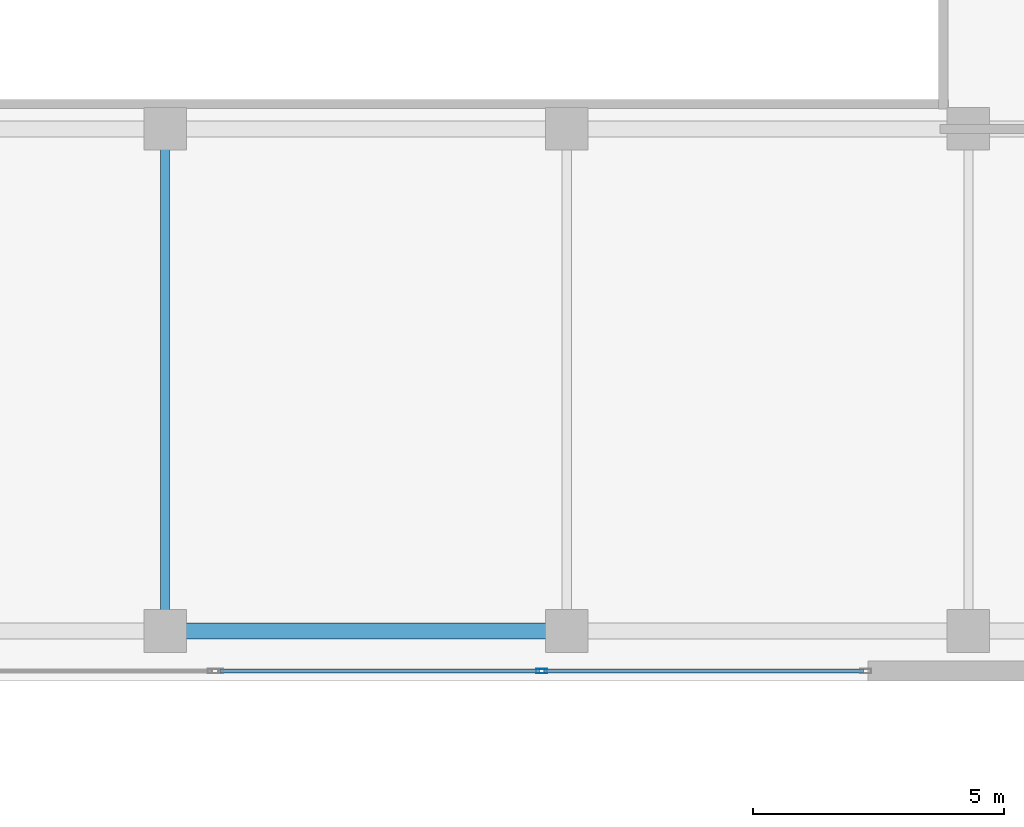
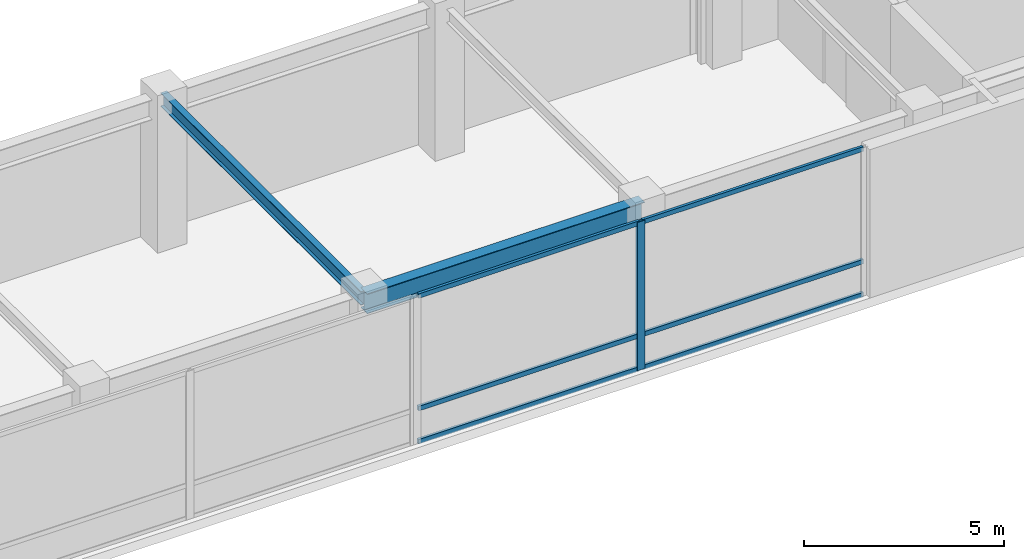
# One storey, part 14 of 36: 7 members, 2 beams, 1 element without a shape of its own.
"""IFC4 building model written with IfcOpenShell, lengths in metres."""

from ifc_helpers import new_model, si_unit, direction, frame, origin, origin_2d, place, context, subcontext, project, spatial, hollow_rectangle, i_section, extrude, material, layer, layer_set, material_profile, profile_set, type_object, element, aggregate, save


model = new_model("IFC4")

# Units and contexts
model_context = context("Model", 3, precision=1e-05, world=origin(), true_north=direction((0.0, 1.0)))
body_context = subcontext(model_context, "Body", "Model", "MODEL_VIEW")
ifc_project = project(units=[si_unit("LENGTHUNIT", "METRE"), si_unit("AREAUNIT", "SQUARE_METRE"), si_unit("VOLUMEUNIT", "CUBIC_METRE"), si_unit("PLANEANGLEUNIT", "RADIAN"), si_unit("MASSUNIT", "GRAM", prefix="KILO")], contexts=[model_context])

# Site, building, storey
site_placement = place(None, origin())
site = spatial("IfcSite", under=ifc_project, at=site_placement, CompositionType="ELEMENT")
building_placement = place(site_placement, origin())
building = spatial("IfcBuilding", under=site, at=building_placement, Name="Kazevale Care Tower and Concert Hall", CompositionType="ELEMENT")
storey_placement = place(building_placement, frame((0.0, 0.0, 14.39990234375)))
storey = spatial("IfcBuildingStorey", under=building, at=storey_placement, Name="L03", CompositionType="ELEMENT", Elevation=14.39990234375)

# Curtain wall, members
ifc_material_1 = material(Name="Aluminium 6063-T6 and Low-E Glass", Category="aluminium")
ifc_layer = layer(ifc_material_1, 0.179931640625)
ifc_layer_set = layer_set([ifc_layer], Name="Aluminium 6063-T6 and Low-E Glass")
curtain_wall_type = type_object("IfcCurtainWallType", Name="Concert Hall Foyer Storefront Curtain Wall CW-6", PredefinedType="NOTDEFINED", material=ifc_layer_set)
curtain_wall_placement = place(storey_placement, origin())
curtain_wall = element("IfcCurtainWall", 1, at=curtain_wall_placement, inside=storey, type_object=curtain_wall_type, Name="cw:L03:hall:S3", PredefinedType="NOTDEFINED")
ifc_material_2 = material(Name="Aluminium 6063-T6", Category="aluminium")
ifc_material_profile_1 = material_profile(ifc_material_2, hollow_rectangle(XDim=0.090087890625, YDim=0.219970703125, WallThickness=0.0048828125, at=origin_2d()), Name="ALU90x220x5")
ifc_profile_set_1 = profile_set([ifc_material_profile_1], Name="Aluminium 6063-T6")
member_type_1 = type_object("IfcMemberType", Name="CW-6 Mullion ALU90x220x5", PredefinedType="MULLION", material=ifc_profile_set_1)
member_1_placement = place(storey_placement, frame((127.5, 14.199951171875, 0.0), z_axis=(0.0, 0.0, 1.0), x_axis=(0.0, 1.0, 0.0)))
member_1 = element("IfcMember", 2, at=member_1_placement, type_object=member_type_1, Name="CW-6 mullion 2", PredefinedType="MULLION", context=body_context, shape_type="SweptSolid", body=[
    extrude(hollow_rectangle(XDim=0.090087890625, YDim=0.219970703125, WallThickness=0.0048828125, at=origin_2d()), origin(), (0.0, 0.0, 1.0), 4.52001953125),
])
ifc_material_profile_2 = material_profile(ifc_material_2, hollow_rectangle(XDim=0.080078125, YDim=0.139892578125, WallThickness=0.00390625, at=origin_2d()), Name="ALU80x140x4")
ifc_profile_set_2 = profile_set([ifc_material_profile_2], Name="Aluminium 6063-T6")
member_type_2 = type_object("IfcMemberType", Name="CW-6 Transom ALU80x140x4", PredefinedType="USERDEFINED", material=ifc_profile_set_2)
member_2_placement = place(storey_placement, frame((121.090087890625, 14.199951171875, 0.0400390625), z_axis=(1.0, 0.0, 0.0), x_axis=(0.0, 1.0, 0.0)))
member_2 = element("IfcMember", 3, at=member_2_placement, type_object=member_type_2, Name="CW-6 transom 1.1", ObjectType="TRANSOM", PredefinedType="USERDEFINED", context=body_context, shape_type="SweptSolid", body=[
    extrude(hollow_rectangle(XDim=0.080078125, YDim=0.139892578125, WallThickness=0.00390625, at=origin_2d()), origin(), (0.0, 0.0, 1.0), 6.364990234375),
])
member_3_placement = place(storey_placement, frame((121.090087890625, 14.199951171875, 1.050048828125), z_axis=(1.0, 0.0, 0.0), x_axis=(0.0, 1.0, 0.0)))
member_3 = element("IfcMember", 4, at=member_3_placement, type_object=member_type_2, Name="CW-6 transom 1.2", ObjectType="TRANSOM", PredefinedType="USERDEFINED", context=body_context, shape_type="SweptSolid", body=[
    extrude(hollow_rectangle(XDim=0.080078125, YDim=0.139892578125, WallThickness=0.00390625, at=origin_2d()), origin(), (0.0, 0.0, 1.0), 6.364990234375),
])
member_4_placement = place(storey_placement, frame((121.090087890625, 14.199951171875, 4.47998046875), z_axis=(1.0, 0.0, 0.0), x_axis=(0.0, 1.0, 0.0)))
member_4 = element("IfcMember", 5, at=member_4_placement, type_object=member_type_2, Name="CW-6 transom 1.3", ObjectType="TRANSOM", PredefinedType="USERDEFINED", context=body_context, shape_type="SweptSolid", body=[
    extrude(hollow_rectangle(XDim=0.080078125, YDim=0.139892578125, WallThickness=0.00390625, at=origin_2d()), origin(), (0.0, 0.0, 1.0), 6.364990234375),
])
member_5_placement = place(storey_placement, frame((127.544921875, 14.199951171875, 0.0400390625), z_axis=(1.0, 0.0, 0.0), x_axis=(0.0, 1.0, 0.0)))
member_5 = element("IfcMember", 6, at=member_5_placement, type_object=member_type_2, Name="CW-6 transom 2.1", ObjectType="TRANSOM", PredefinedType="USERDEFINED", context=body_context, shape_type="SweptSolid", body=[
    extrude(hollow_rectangle(XDim=0.080078125, YDim=0.139892578125, WallThickness=0.00390625, at=origin_2d()), origin(), (0.0, 0.0, 1.0), 6.364990234375),
])
member_6_placement = place(storey_placement, frame((127.544921875, 14.199951171875, 1.050048828125), z_axis=(1.0, 0.0, 0.0), x_axis=(0.0, 1.0, 0.0)))
member_6 = element("IfcMember", 7, at=member_6_placement, type_object=member_type_2, Name="CW-6 transom 2.2", ObjectType="TRANSOM", PredefinedType="USERDEFINED", context=body_context, shape_type="SweptSolid", body=[
    extrude(hollow_rectangle(XDim=0.080078125, YDim=0.139892578125, WallThickness=0.00390625, at=origin_2d()), origin(), (0.0, 0.0, 1.0), 6.364990234375),
])
member_7_placement = place(storey_placement, frame((127.544921875, 14.199951171875, 4.47998046875), z_axis=(1.0, 0.0, 0.0), x_axis=(0.0, 1.0, 0.0)))
member_7 = element("IfcMember", 8, at=member_7_placement, type_object=member_type_2, Name="CW-6 transom 2.3", ObjectType="TRANSOM", PredefinedType="USERDEFINED", context=body_context, shape_type="SweptSolid", body=[
    extrude(hollow_rectangle(XDim=0.080078125, YDim=0.139892578125, WallThickness=0.00390625, at=origin_2d()), origin(), (0.0, 0.0, 1.0), 6.364990234375),
])
aggregate(curtain_wall, [member_1, member_2, member_3, member_4, member_5, member_6, member_7])

# Beams
ifc_material_3 = material(Name="Steel ASTM A572 Gr 50", Category="steel")
ifc_material_profile_3 = material_profile(ifc_material_3, i_section(OverallWidth=0.323974609375, OverallDepth=0.611083984375, WebThickness=0.0126953125, FlangeThickness=0.01904296875, at=origin_2d()), Name="W610x155")
ifc_profile_set_3 = profile_set([ifc_material_profile_3], Name="Steel ASTM A572 Gr 50")
beam_type_1 = type_object("IfcBeamType", Name="Concert Hall Frame Girder W610x155", PredefinedType="BEAM", material=ifc_profile_set_3)
beam_1_placement = place(storey_placement, frame((120.0, 15.0, 4.214599609375), z_axis=(1.0, 0.0, 0.0), x_axis=(0.0, 1.0, 0.0)))
element("IfcBeam", 9, at=beam_1_placement, inside=storey, type_object=beam_type_1, Name="beam:L03:hx:120_15", PredefinedType="BEAM", context=body_context, shape_type="SweptSolid", body=[
    extrude(i_section(OverallWidth=0.323974609375, OverallDepth=0.611083984375, WebThickness=0.0126953125, FlangeThickness=0.01904296875, at=origin_2d()), origin(), (0.0, 0.0, 1.0), 8.0),
])
ifc_material_profile_4 = material_profile(ifc_material_3, i_section(OverallWidth=0.180908203125, OverallDepth=0.4169921875, WebThickness=0.010986328125, FlangeThickness=0.018310546875, at=origin_2d()), Name="W410x85")
ifc_profile_set_4 = profile_set([ifc_material_profile_4], Name="Steel ASTM A572 Gr 50")
beam_type_2 = type_object("IfcBeamType", Name="Concert Hall Secondary Beam W410x85", PredefinedType="BEAM", material=ifc_profile_set_4)
beam_2_placement = place(storey_placement, frame((120.0, 15.0, 4.3115234375), z_axis=(0.0, 1.0, 0.0), x_axis=(-1.0, 0.0, 0.0)))
element("IfcBeam", 10, at=beam_2_placement, inside=storey, type_object=beam_type_2, Name="beam:L03:hy:120_15", PredefinedType="BEAM", context=body_context, shape_type="SweptSolid", body=[
    extrude(i_section(OverallWidth=0.180908203125, OverallDepth=0.4169921875, WebThickness=0.010986328125, FlangeThickness=0.018310546875, at=origin_2d()), origin(), (0.0, 0.0, 1.0), 10.0),
])

save(model, "model.ifc")
